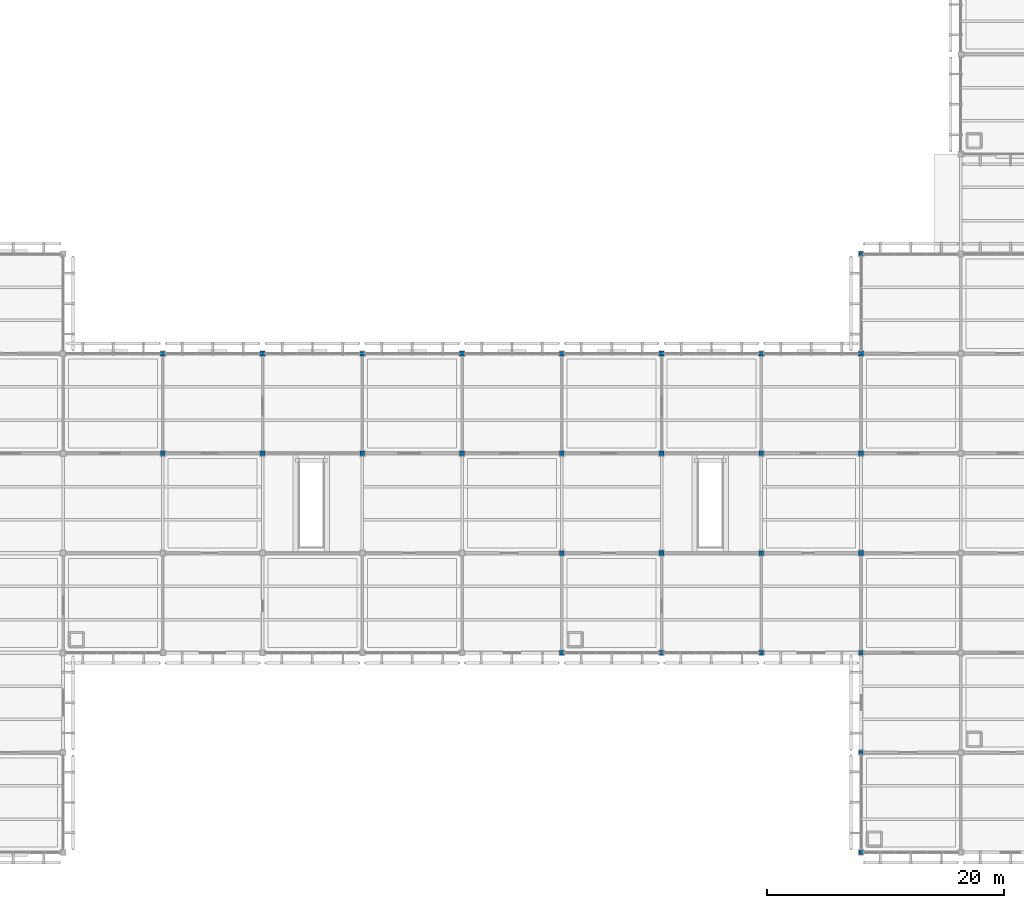
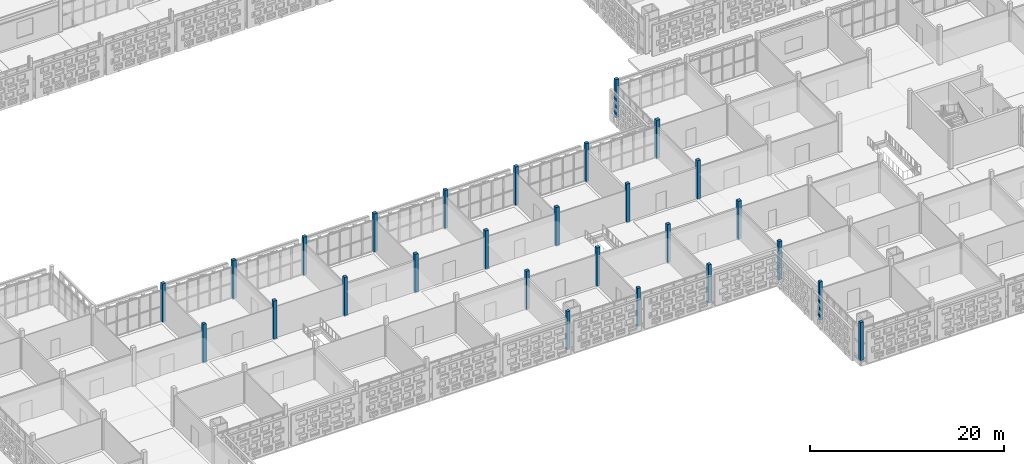
# One storey, part 2 of 203: 27 columns.
"""IFC4 building model written with IfcOpenShell, lengths in metres."""

from ifc_helpers import new_model, si_unit, direction, frame, origin, origin_2d, place, context, subcontext, project, spatial, rectangle, extrude, material, material_profile, profile_set, type_object, element, save


model = new_model("IFC4")

# Units and contexts
model_context = context("Model", 3, precision=1e-05, world=origin(), true_north=direction((0.0, 1.0)))
body_context = subcontext(model_context, "Body", "Model", "MODEL_VIEW")
ifc_project = project(units=[si_unit("LENGTHUNIT", "METRE"), si_unit("AREAUNIT", "SQUARE_METRE"), si_unit("VOLUMEUNIT", "CUBIC_METRE"), si_unit("PLANEANGLEUNIT", "RADIAN"), si_unit("MASSUNIT", "GRAM", prefix="KILO")], contexts=[model_context])

# Site, building, storey
site_placement = place(None, origin())
site = spatial("IfcSite", under=ifc_project, at=site_placement, CompositionType="ELEMENT")
building_placement = place(site_placement, origin())
building = spatial("IfcBuilding", under=site, at=building_placement, Name="Varnapada Polytechnic", CompositionType="ELEMENT")
storey_placement = place(building_placement, frame((0.0, 0.0, 4.800048828125)))
storey = spatial("IfcBuildingStorey", under=building, at=storey_placement, Name="L01", CompositionType="ELEMENT", Elevation=4.800048828125)

# Columns
ifc_material = material(Name="Glulam GL32h", Category="wood")
ifc_material_profile_1 = material_profile(ifc_material, rectangle(XDim=0.39990234375, YDim=0.39990234375, at=origin_2d()), Name="GL 400x400")
ifc_profile_set_1 = profile_set([ifc_material_profile_1], Name="Glulam GL32h")
column_type_1 = type_object("IfcColumnType", Name="Column C-13 (GL 400x400)", PredefinedType="COLUMN", material=ifc_profile_set_1)
for number, where, z_axis, x_axis, name in (
    (1, (75.60009765625, 33.60009765625, 0.0), (0.0, 0.0, 1.0), (1.0, 0.0, 0.0), "L01 column 10/5"),
    (2, (75.60009765625, 42.0, 0.0), (0.0, 0.0, 1.0), (1.0, 0.0, 0.0), "L01 column 10/6"),
    (3, (92.39990234375, 33.60009765625, 0.0), (0.0, 0.0, 1.0), (1.0, 0.0, 0.0), "L01 column 12/5"),
    (4, (92.39990234375, 42.0, 0.0), (0.0, 0.0, 1.0), (1.0, 0.0, 0.0), "L01 column 12/6"),
    (5, (109.199951171875, 25.199951171875, 0.0), (0.0, 0.0, 1.0), (1.0, 0.0, 0.0), "L01 column 14/4"),
    (6, (109.199951171875, 33.60009765625, 0.0), (0.0, 0.0, 1.0), (1.0, 0.0, 0.0), "L01 column 14/5"),
    (7, (109.199951171875, 42.0, 0.0), (0.0, 0.0, 1.0), (1.0, 0.0, 0.0), "L01 column 14/6"),
    (8, (126.0, 25.199951171875, 0.0), (0.0, 0.0, 1.0), (1.0, 0.0, 0.0), "L01 column 16/4"),
    (9, (126.0, 33.60009765625, 0.0), (0.0, 0.0, 1.0), (1.0, 0.0, 0.0), "L01 column 16/5"),
    (10, (126.0, 42.0, 0.0), (0.0, 0.0, 1.0), (1.0, 0.0, 0.0), "L01 column 16/6"),
):
    element("IfcColumn", number, at=place(storey_placement, frame(where, z_axis=z_axis, x_axis=x_axis)), inside=storey, type_object=column_type_1, Name=name, PredefinedType="COLUMN", context=body_context, shape_type="SweptSolid", body=[
        extrude(rectangle(XDim=0.39990234375, YDim=0.39990234375, at=origin_2d()), origin(), (0.0, 0.0, 1.0), 4.800048828125),
    ])
ifc_material_profile_2 = material_profile(ifc_material, rectangle(XDim=0.360107421875, YDim=0.360107421875, at=origin_2d()), Name="GL 360x360")
ifc_profile_set_2 = profile_set([ifc_material_profile_2], Name="Glulam GL32h")
column_type_2 = type_object("IfcColumnType", Name="Column C-14 (GL 360x360)", PredefinedType="COLUMN", material=ifc_profile_set_2)
for number, where, z_axis, x_axis, name in (
    (11, (100.800048828125, 16.800048828125, 0.0), (0.0, 0.0, 1.0), (1.0, 0.0, 0.0), "L01 column 13/3"),
    (12, (109.199951171875, 16.800048828125, 0.0), (0.0, 0.0, 1.0), (1.0, 0.0, 0.0), "L01 column 14/3"),
    (13, (117.60009765625, 16.800048828125, 0.0), (0.0, 0.0, 1.0), (1.0, 0.0, 0.0), "L01 column 15/3"),
    (14, (126.0, 0.0, 0.0), (0.0, 0.0, 1.0), (1.0, 0.0, 0.0), "L01 column 16/1"),
    (15, (126.0, 16.800048828125, 0.0), (0.0, 0.0, 1.0), (1.0, 0.0, 0.0), "L01 column 16/3"),
    (16, (126.0, 50.39990234375, 0.0), (0.0, 0.0, 1.0), (1.0, 0.0, 0.0), "L01 column 16/7"),
):
    element("IfcColumn", number, at=place(storey_placement, frame(where, z_axis=z_axis, x_axis=x_axis)), inside=storey, type_object=column_type_2, Name=name, PredefinedType="COLUMN", context=body_context, shape_type="SweptSolid", body=[
        extrude(rectangle(XDim=0.360107421875, YDim=0.360107421875, at=origin_2d()), origin(), (0.0, 0.0, 1.0), 4.800048828125),
    ])
ifc_material_profile_3 = material_profile(ifc_material, rectangle(XDim=0.3798828125, YDim=0.3798828125, at=origin_2d()), Name="GL 380x380")
ifc_profile_set_3 = profile_set([ifc_material_profile_3], Name="Glulam GL32h")
column_type_3 = type_object("IfcColumnType", Name="Column C-24 (GL 380x380)", PredefinedType="COLUMN", material=ifc_profile_set_3)
for number, where, z_axis, x_axis, name in (
    (17, (67.199951171875, 33.60009765625, 0.0), (0.0, 0.0, 1.0), (1.0, 0.0, 0.0), "L01 column 9/5"),
    (18, (67.199951171875, 42.0, 0.0), (0.0, 0.0, 1.0), (1.0, 0.0, 0.0), "L01 column 9/6"),
    (19, (84.0, 33.60009765625, 0.0), (0.0, 0.0, 1.0), (1.0, 0.0, 0.0), "L01 column 11/5"),
    (20, (84.0, 42.0, 0.0), (0.0, 0.0, 1.0), (1.0, 0.0, 0.0), "L01 column 11/6"),
    (21, (100.800048828125, 25.199951171875, 0.0), (0.0, 0.0, 1.0), (1.0, 0.0, 0.0), "L01 column 13/4"),
    (22, (100.800048828125, 33.60009765625, 0.0), (0.0, 0.0, 1.0), (1.0, 0.0, 0.0), "L01 column 13/5"),
    (23, (100.800048828125, 42.0, 0.0), (0.0, 0.0, 1.0), (1.0, 0.0, 0.0), "L01 column 13/6"),
    (24, (117.60009765625, 25.199951171875, 0.0), (0.0, 0.0, 1.0), (1.0, 0.0, 0.0), "L01 column 15/4"),
    (25, (117.60009765625, 33.60009765625, 0.0), (0.0, 0.0, 1.0), (1.0, 0.0, 0.0), "L01 column 15/5"),
    (26, (117.60009765625, 42.0, 0.0), (0.0, 0.0, 1.0), (1.0, 0.0, 0.0), "L01 column 15/6"),
):
    element("IfcColumn", number, at=place(storey_placement, frame(where, z_axis=z_axis, x_axis=x_axis)), inside=storey, type_object=column_type_3, Name=name, PredefinedType="COLUMN", context=body_context, shape_type="SweptSolid", body=[
        extrude(rectangle(XDim=0.3798828125, YDim=0.3798828125, at=origin_2d()), origin(), (0.0, 0.0, 1.0), 4.800048828125),
    ])
ifc_material_profile_4 = material_profile(ifc_material, rectangle(XDim=0.340087890625, YDim=0.340087890625, at=origin_2d()), Name="GL 340x340")
ifc_profile_set_4 = profile_set([ifc_material_profile_4], Name="Glulam GL32h")
column_type_4 = type_object("IfcColumnType", Name="Column C-27 (GL 340x340)", PredefinedType="COLUMN", material=ifc_profile_set_4)
column_placement = place(storey_placement, frame((126.0, 8.39990234375, 0.0), z_axis=(0.0, 0.0, 1.0), x_axis=(1.0, 0.0, 0.0)))
element("IfcColumn", 27, at=column_placement, inside=storey, type_object=column_type_4, Name="L01 column 16/2", PredefinedType="COLUMN", context=body_context, shape_type="SweptSolid", body=[
    extrude(rectangle(XDim=0.340087890625, YDim=0.340087890625, at=origin_2d()), origin(), (0.0, 0.0, 1.0), 4.800048828125),
])

save(model, "model.ifc")
